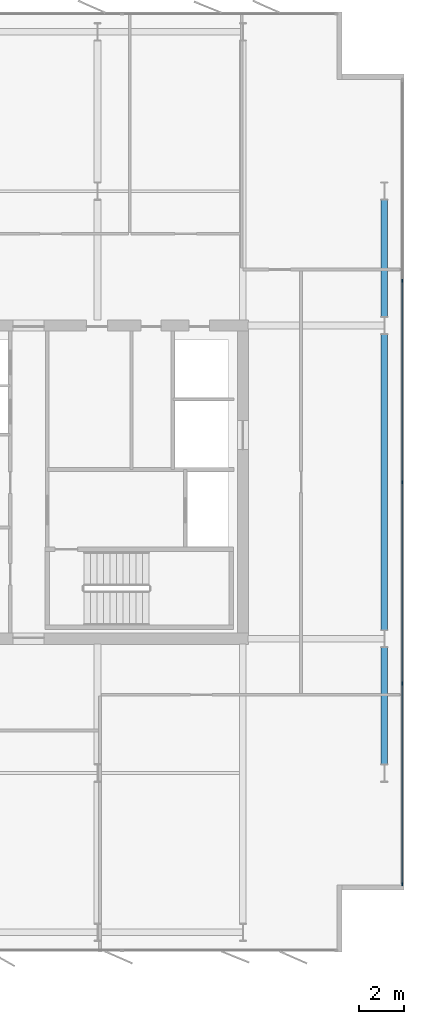
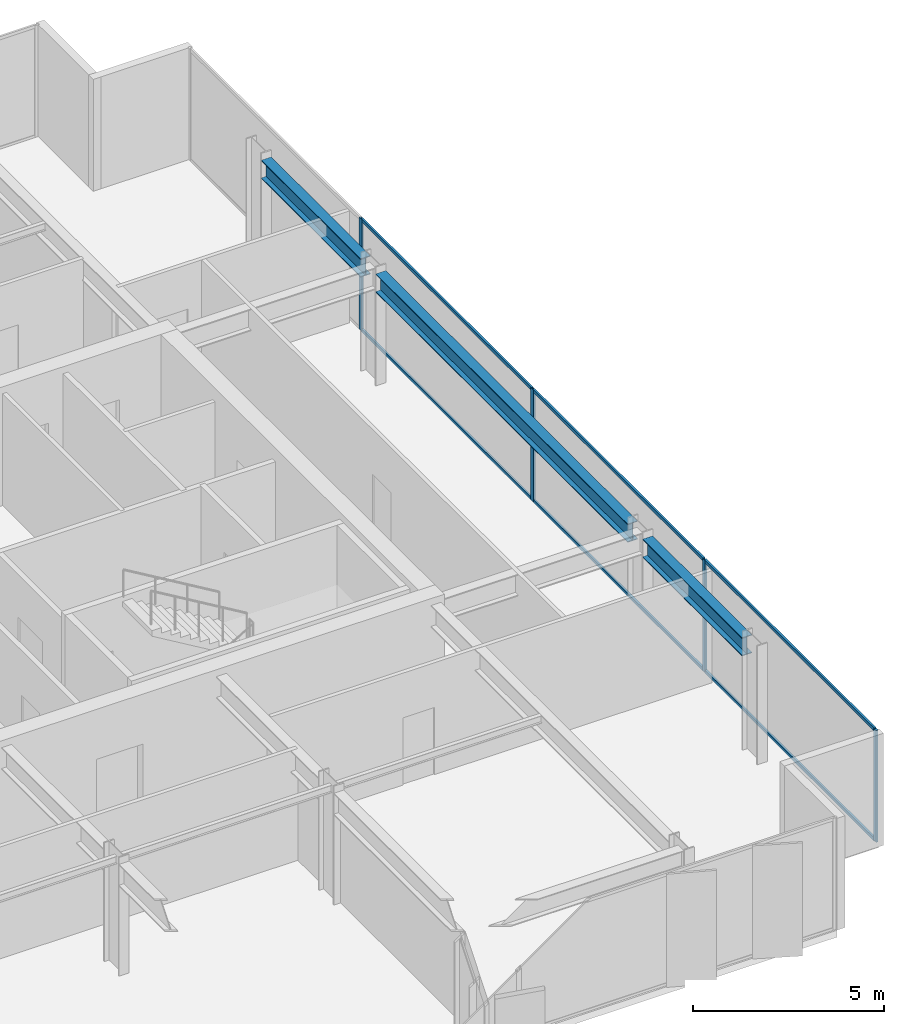
# One storey, part 14 of 23: 10 members, 3 beams, 1 element without a shape of its own.
"""IFC4 building model written with IfcOpenShell, lengths in metres."""

from ifc_helpers import new_model, si_unit, direction, frame, origin, origin_2d, place, context, subcontext, project, spatial, rectangle, i_section, extrude, material, layer, layer_set, material_profile, profile_set, type_object, element, aggregate, save


model = new_model("IFC4")

# Units and contexts
model_context = context("Model", 3, precision=1e-05, world=origin(), true_north=direction((0.0, 1.0)))
body_context = subcontext(model_context, "Body", "Model", "MODEL_VIEW")
ifc_project = project(units=[si_unit("LENGTHUNIT", "METRE"), si_unit("AREAUNIT", "SQUARE_METRE"), si_unit("VOLUMEUNIT", "CUBIC_METRE"), si_unit("PLANEANGLEUNIT", "RADIAN"), si_unit("MASSUNIT", "GRAM", prefix="KILO")], contexts=[model_context])

# Site, building, storey
site_placement = place(None, origin())
site = spatial("IfcSite", under=ifc_project, at=site_placement, CompositionType="ELEMENT")
building_placement = place(site_placement, origin())
building = spatial("IfcBuilding", under=site, at=building_placement, Name="Putna Gate Headquarters", CompositionType="ELEMENT")
storey_placement = place(building_placement, frame((0.0, 0.0, 229.0)))
storey = spatial("IfcBuildingStorey", under=building, at=storey_placement, Name="L57", CompositionType="ELEMENT", Elevation=229.0)

# Beams
ifc_material_1 = material(Name="Steel S355J2", Category="steel")
ifc_material_profile_1 = material_profile(ifc_material_1, i_section(OverallWidth=0.300048828125, OverallDepth=0.590087890625, WebThickness=0.012939453125, FlangeThickness=0.02490234375, at=origin_2d()), Name="Steel S355J2")
ifc_profile_set_1 = profile_set([ifc_material_profile_1], Name="Steel S355J2")
beam_type = type_object("IfcBeamType", Name="BM-SPAN-Z4-HEA600", PredefinedType="SPANDREL", material=ifc_profile_set_1)
beam_1_placement = place(storey_placement, frame((71.320068359375, 13.39501953125, 3.284912109375), z_axis=(0.0, 1.0, 0.0), x_axis=(-1.0, 0.0, 0.0)))
element("IfcBeam", 1, at=beam_1_placement, inside=storey, type_object=beam_type, Name="L57 E End Spandrel 1", PredefinedType="SPANDREL", context=body_context, shape_type="SweptSolid", body=[
    extrude(i_section(OverallWidth=0.300048828125, OverallDepth=0.590087890625, WebThickness=0.012939453125, FlangeThickness=0.02490234375, at=origin_2d()), origin(), (0.0, 0.0, 1.0), 5.2099609375),
])
beam_2_placement = place(storey_placement, frame((71.320068359375, 19.39501953125, 3.284912109375), z_axis=(0.0, 1.0, 0.0), x_axis=(-1.0, 0.0, 0.0)))
element("IfcBeam", 2, at=beam_2_placement, inside=storey, type_object=beam_type, Name="L57 E End Spandrel 2", PredefinedType="SPANDREL", context=body_context, shape_type="SweptSolid", body=[
    extrude(i_section(OverallWidth=0.300048828125, OverallDepth=0.590087890625, WebThickness=0.012939453125, FlangeThickness=0.02490234375, at=origin_2d()), origin(), (0.0, 0.0, 1.0), 13.2099609375),
])
beam_3_placement = place(storey_placement, frame((71.320068359375, 33.39501953125, 3.284912109375), z_axis=(0.0, 1.0, 0.0), x_axis=(-1.0, 0.0, 0.0)))
element("IfcBeam", 3, at=beam_3_placement, inside=storey, type_object=beam_type, Name="L57 E End Spandrel 3", PredefinedType="SPANDREL", context=body_context, shape_type="SweptSolid", body=[
    extrude(i_section(OverallWidth=0.300048828125, OverallDepth=0.590087890625, WebThickness=0.012939453125, FlangeThickness=0.02490234375, at=origin_2d()), origin(), (0.0, 0.0, 1.0), 5.2099609375),
])

# Curtain wall, members
ifc_material_2 = material(Name="Anodised bronze aluminium curtain wall", Category="aluminium")
ifc_layer = layer(ifc_material_2, 0.139892578125)
ifc_layer_set = layer_set([ifc_layer], Name="Anodised bronze aluminium curtain wall")
curtain_wall_type = type_object("IfcCurtainWallType", Name="CW-SYS-Z4", PredefinedType="USERDEFINED", material=ifc_layer_set)
curtain_wall_placement = place(storey_placement, origin())
curtain_wall = element("IfcCurtainWall", 4, at=curtain_wall_placement, inside=storey, type_object=curtain_wall_type, Name="L57 East Curtain Wall", ObjectType="STICK CURTAIN WALL", PredefinedType="USERDEFINED")
ifc_material_3 = material(Name="Anodised bronze aluminium EN AW-6060", Category="aluminium")
ifc_material_profile_2 = material_profile(ifc_material_3, rectangle(XDim=0.06005859375, YDim=0.139892578125, at=origin_2d()), Name="Anodised bronze aluminium EN AW-6060")
ifc_profile_set_2 = profile_set([ifc_material_profile_2], Name="Anodised bronze aluminium EN AW-6060")
member_type_1 = type_object("IfcMemberType", Name="MULL-CWM-4", PredefinedType="MULLION", material=ifc_profile_set_2)
member_1_placement = place(storey_placement, frame((72.1201171875, 8.030029296875, 0.0), z_axis=(0.0, 0.0, 1.0), x_axis=(-1.0, 0.0, 0.0)))
member_1 = element("IfcMember", 5, at=member_1_placement, type_object=member_type_1, Name="CWS-4 mullion 1", PredefinedType="MULLION", context=body_context, shape_type="SweptSolid", body=[
    extrude(rectangle(XDim=0.06005859375, YDim=0.139892578125, at=origin_2d()), origin(), (0.0, 0.0, 1.0), 3.580078125),
])
member_2_placement = place(storey_placement, frame((72.1201171875, 17.0, 0.0), z_axis=(0.0, 0.0, 1.0), x_axis=(-1.0, 0.0, 0.0)))
member_2 = element("IfcMember", 6, at=member_2_placement, type_object=member_type_1, Name="CWS-4 mullion 2", PredefinedType="MULLION", context=body_context, shape_type="SweptSolid", body=[
    extrude(rectangle(XDim=0.06005859375, YDim=0.139892578125, at=origin_2d()), origin(), (0.0, 0.0, 1.0), 3.580078125),
])
member_3_placement = place(storey_placement, frame((72.1201171875, 26.0, 0.0), z_axis=(0.0, 0.0, 1.0), x_axis=(-1.0, 0.0, 0.0)))
member_3 = element("IfcMember", 7, at=member_3_placement, type_object=member_type_1, Name="CWS-4 mullion 3", PredefinedType="MULLION", context=body_context, shape_type="SweptSolid", body=[
    extrude(rectangle(XDim=0.06005859375, YDim=0.139892578125, at=origin_2d()), origin(), (0.0, 0.0, 1.0), 3.580078125),
])
member_4_placement = place(storey_placement, frame((72.1201171875, 35.0, 0.0), z_axis=(0.0, 0.0, 1.0), x_axis=(-1.0, 0.0, 0.0)))
member_4 = element("IfcMember", 8, at=member_4_placement, type_object=member_type_1, Name="CWS-4 mullion 4", PredefinedType="MULLION", context=body_context, shape_type="SweptSolid", body=[
    extrude(rectangle(XDim=0.06005859375, YDim=0.139892578125, at=origin_2d()), origin(), (0.0, 0.0, 1.0), 3.580078125),
])
ifc_material_profile_3 = material_profile(ifc_material_3, rectangle(XDim=0.06005859375, YDim=0.10009765625, at=origin_2d()), Name="Anodised bronze aluminium EN AW-6060")
ifc_profile_set_3 = profile_set([ifc_material_profile_3], Name="Anodised bronze aluminium EN AW-6060")
member_type_2 = type_object("IfcMemberType", Name="TRAN-CWT-4", PredefinedType="USERDEFINED", material=ifc_profile_set_3)
member_5_placement = place(storey_placement, frame((72.1201171875, 8.06005859375, 0.030029296875), z_axis=(0.0, 1.0, 0.0), x_axis=(-1.0, 0.0, 0.0)))
member_5 = element("IfcMember", 9, at=member_5_placement, type_object=member_type_2, Name="CWS-4 transom 1.1", ObjectType="TRANSOM", PredefinedType="USERDEFINED", context=body_context, shape_type="SweptSolid", body=[
    extrude(rectangle(XDim=0.06005859375, YDim=0.10009765625, at=origin_2d()), origin(), (0.0, 0.0, 1.0), 8.909912109375),
])
member_6_placement = place(storey_placement, frame((72.1201171875, 8.06005859375, 3.550048828125), z_axis=(0.0, 1.0, 0.0), x_axis=(-1.0, 0.0, 0.0)))
member_6 = element("IfcMember", 10, at=member_6_placement, type_object=member_type_2, Name="CWS-4 transom 1.2", ObjectType="TRANSOM", PredefinedType="USERDEFINED", context=body_context, shape_type="SweptSolid", body=[
    extrude(rectangle(XDim=0.06005859375, YDim=0.10009765625, at=origin_2d()), origin(), (0.0, 0.0, 1.0), 8.909912109375),
])
member_7_placement = place(storey_placement, frame((72.1201171875, 17.030029296875, 0.030029296875), z_axis=(0.0, 1.0, 0.0), x_axis=(-1.0, 0.0, 0.0)))
member_7 = element("IfcMember", 11, at=member_7_placement, type_object=member_type_2, Name="CWS-4 transom 2.1", ObjectType="TRANSOM", PredefinedType="USERDEFINED", context=body_context, shape_type="SweptSolid", body=[
    extrude(rectangle(XDim=0.06005859375, YDim=0.10009765625, at=origin_2d()), origin(), (0.0, 0.0, 1.0), 8.93994140625),
])
member_8_placement = place(storey_placement, frame((72.1201171875, 17.030029296875, 3.550048828125), z_axis=(0.0, 1.0, 0.0), x_axis=(-1.0, 0.0, 0.0)))
member_8 = element("IfcMember", 12, at=member_8_placement, type_object=member_type_2, Name="CWS-4 transom 2.2", ObjectType="TRANSOM", PredefinedType="USERDEFINED", context=body_context, shape_type="SweptSolid", body=[
    extrude(rectangle(XDim=0.06005859375, YDim=0.10009765625, at=origin_2d()), origin(), (0.0, 0.0, 1.0), 8.93994140625),
])
member_9_placement = place(storey_placement, frame((72.1201171875, 26.030029296875, 0.030029296875), z_axis=(0.0, 1.0, 0.0), x_axis=(-1.0, 0.0, 0.0)))
member_9 = element("IfcMember", 13, at=member_9_placement, type_object=member_type_2, Name="CWS-4 transom 3.1", ObjectType="TRANSOM", PredefinedType="USERDEFINED", context=body_context, shape_type="SweptSolid", body=[
    extrude(rectangle(XDim=0.06005859375, YDim=0.10009765625, at=origin_2d()), origin(), (0.0, 0.0, 1.0), 8.93994140625),
])
member_10_placement = place(storey_placement, frame((72.1201171875, 26.030029296875, 3.550048828125), z_axis=(0.0, 1.0, 0.0), x_axis=(-1.0, 0.0, 0.0)))
member_10 = element("IfcMember", 14, at=member_10_placement, type_object=member_type_2, Name="CWS-4 transom 3.2", ObjectType="TRANSOM", PredefinedType="USERDEFINED", context=body_context, shape_type="SweptSolid", body=[
    extrude(rectangle(XDim=0.06005859375, YDim=0.10009765625, at=origin_2d()), origin(), (0.0, 0.0, 1.0), 8.93994140625),
])
aggregate(curtain_wall, [member_1, member_2, member_3, member_4, member_5, member_6, member_7, member_8, member_9, member_10])

save(model, "model.ifc")
